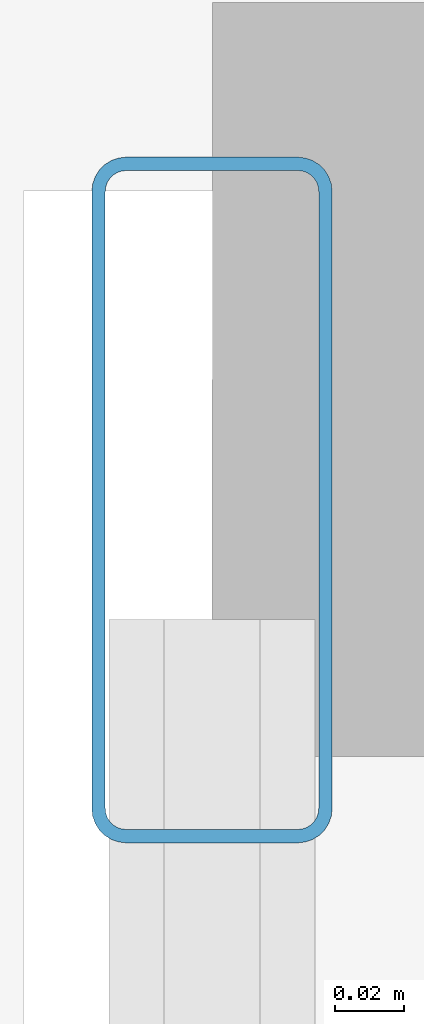
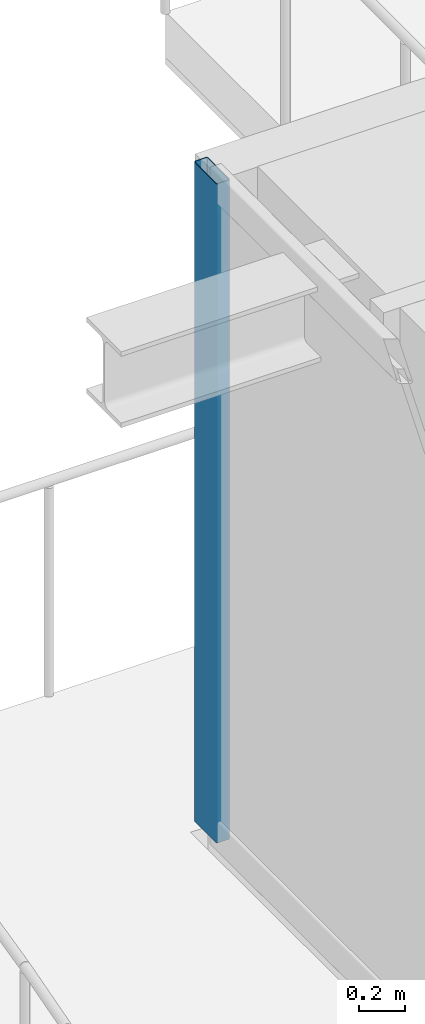
# One storey, part 17 of 39: 1 member, 1 element without a shape of its own.
"""IFC4 building model written with IfcOpenShell, lengths in metres."""

from ifc_helpers import new_model, si_unit, direction, frame, origin, origin_2d, place, context, subcontext, project, spatial, hollow_rectangle, extrude, source, transform, mapped, material, layer, layer_set, material_profile, profile_set, type_object, element, aggregate, save


model = new_model("IFC4")

# Units and contexts
model_context = context("Model", 3, precision=1e-05, world=origin(), true_north=direction((0.0, 1.0)))
body_context = subcontext(model_context, "Body", "Model", "MODEL_VIEW")
ifc_project = project(units=[si_unit("LENGTHUNIT", "METRE"), si_unit("AREAUNIT", "SQUARE_METRE"), si_unit("VOLUMEUNIT", "CUBIC_METRE"), si_unit("PLANEANGLEUNIT", "RADIAN"), si_unit("MASSUNIT", "GRAM", prefix="KILO")], contexts=[model_context])

# Site, building, storey
site_placement = place(None, origin())
site = spatial("IfcSite", under=ifc_project, at=site_placement, CompositionType="ELEMENT")
building_placement = place(site_placement, origin())
building = spatial("IfcBuilding", under=site, at=building_placement, Name="Serunith Strait Residences", CompositionType="ELEMENT")
storey_placement = place(building_placement, frame((0.0, 0.0, 60.449951171875)))
storey = spatial("IfcBuildingStorey", under=building, at=storey_placement, Name="L14", CompositionType="ELEMENT", Elevation=60.449951171875)

# Curtain wall, member
ifc_material = material(Name="Pale-Champagne Anodised Aluminium", Category="aluminium")
ifc_layer = layer(ifc_material, 0.199951171875, Name="Pale-Champagne Anodised Aluminium")
ifc_layer_set = layer_set([ifc_layer], Name="Pale-Champagne Anodised Aluminium")
curtain_wall_type = type_object("IfcCurtainWallType", Name="CW-SYS1", PredefinedType="NOTDEFINED", material=ifc_layer_set)
curtain_wall_placement = place(storey_placement, origin())
curtain_wall = element("IfcCurtainWall", 1, at=curtain_wall_placement, inside=storey, type_object=curtain_wall_type, Name="L14 W Unitised Fritted Curtain Wall", PredefinedType="NOTDEFINED")
ifc_material_profile = material_profile(ifc_material, hollow_rectangle(XDim=0.070068359375, YDim=0.199951171875, WallThickness=0.00390625, InnerFilletRadius=0.006103515625, OuterFilletRadius=0.010009765625, at=origin_2d()), Name="ALU 200x70x4")
ifc_profile_set = profile_set([ifc_material_profile], Name="Pale-Champagne Anodised Aluminium")
member_type = type_object("IfcMemberType", Name="CW-SYS1-MULL", PredefinedType="MULLION", material=ifc_profile_set)
shared_shape = source(origin(), body_context, "Body", "SweptSolid", [
    extrude(hollow_rectangle(XDim=0.070068359375, YDim=0.199951171875, WallThickness=0.00390625, InnerFilletRadius=0.006103515625, OuterFilletRadius=0.010009765625, at=origin_2d()), origin(), (0.0, 0.0, 1.0), 3.47509765625),
])
member_placement = place(storey_placement, frame((6.0, 41.764892578125, 0.0), z_axis=(0.0, 0.0, 1.0), x_axis=(1.0, 0.0, 0.0)))
member = element("IfcMember", 2, at=member_placement, type_object=member_type, Name="CW-1 mullion 1", PredefinedType="MULLION", context=body_context, shape_type="MappedRepresentation", body=[
    mapped(shared_shape, transform((0.0, 0.0, 0.0), scale=1.0)),
])
aggregate(curtain_wall, [member])

save(model, "model.ifc")
